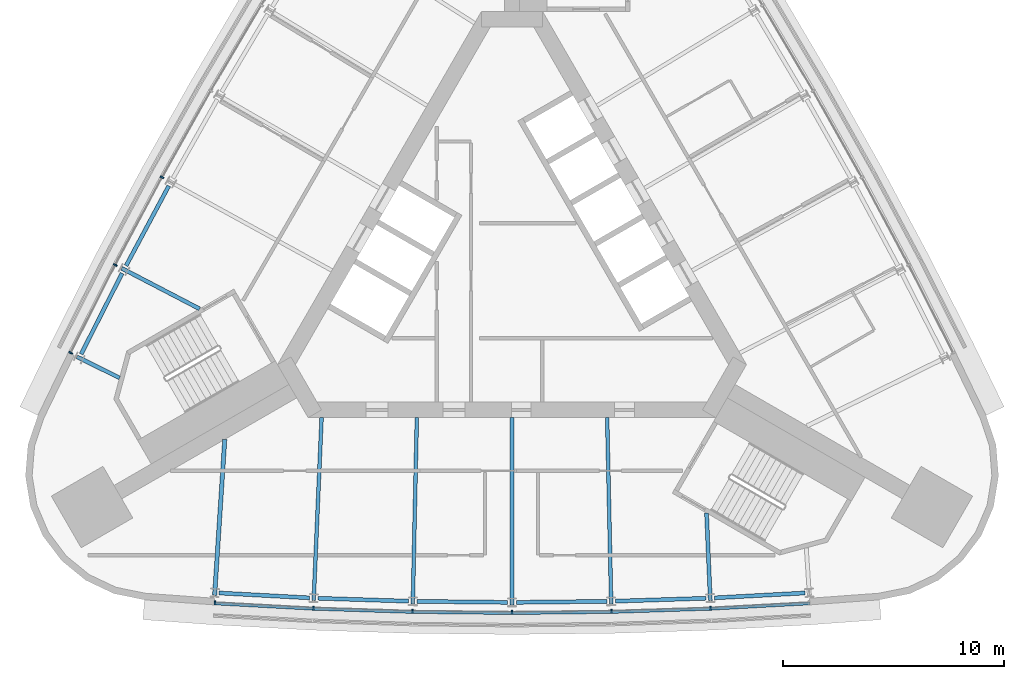
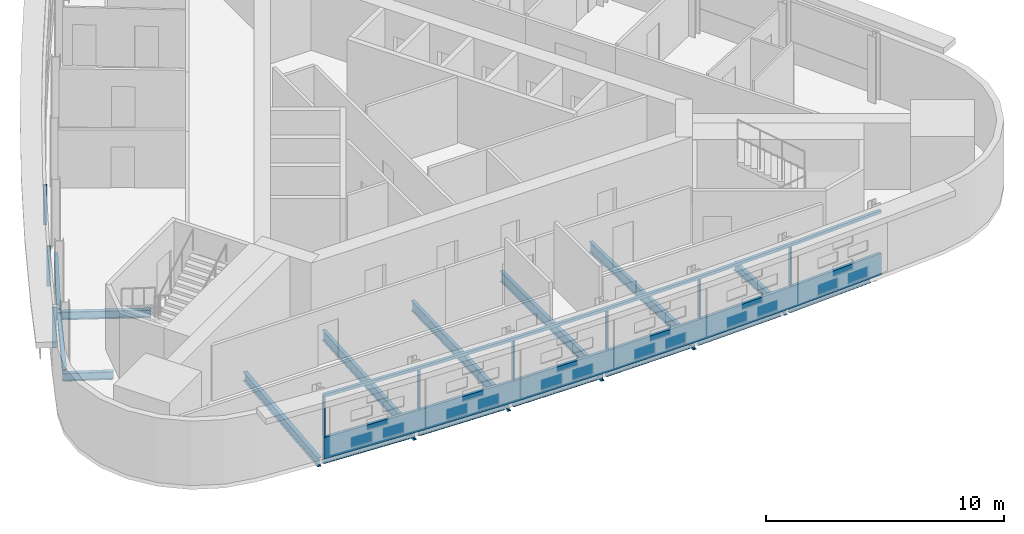
# One storey, part 2 of 10: 16 beams, 11 members, 2 elements without a shape of their own.
"""IFC4 building model written with IfcOpenShell, lengths in metres."""

from ifc_helpers import new_model, si_unit, direction, frame, origin, origin_2d, place, context, subcontext, project, spatial, polyline, rectangle, i_section, outline, extrude, material, material_profile, profile_set, type_object, element, aggregate, save


model = new_model("IFC4")

# Units and contexts
model_context = context("Model", 3, precision=1e-05, world=origin(), true_north=direction((0.0, 1.0)))
body_context = subcontext(model_context, "Body", "Model", "MODEL_VIEW")
ifc_project = project(units=[si_unit("LENGTHUNIT", "METRE"), si_unit("AREAUNIT", "SQUARE_METRE"), si_unit("VOLUMEUNIT", "CUBIC_METRE"), si_unit("PLANEANGLEUNIT", "RADIAN"), si_unit("MASSUNIT", "GRAM", prefix="KILO")], contexts=[model_context])

# Site, building, storey
site_placement = place(None, origin())
site = spatial("IfcSite", under=ifc_project, at=site_placement, CompositionType="ELEMENT")
building_placement = place(site_placement, origin())
building = spatial("IfcBuilding", under=site, at=building_placement, Name="Noor Cloister Tower", CompositionType="ELEMENT")
storey_placement = place(building_placement, frame((0.0, 0.0, 199.5)))
storey = spatial("IfcBuildingStorey", under=building, at=storey_placement, Name="L51", CompositionType="ELEMENT", Elevation=199.5)

# Curtain wall, member
ifc_material_1 = material(Name="Aluminium 6063-T6 anodised", Category="aluminium")
curtain_wall_type = type_object("IfcCurtainWallType", Name="Ribbon curtain wall, upper tower CW5", PredefinedType="NOTDEFINED", material=ifc_material_1)
curtain_wall_1_placement = place(storey_placement, origin())
curtain_wall_1 = element("IfcCurtainWall", 1, at=curtain_wall_1_placement, inside=storey, type_object=curtain_wall_type, Name="CW5 L51 S run 2", PredefinedType="NOTDEFINED")
ifc_material_2 = material(Name="Aluminium 6063-T6 anodised", Category="aluminium")
member_type_1 = type_object("IfcMemberType", Name="Head transom CW5 150", PredefinedType="USERDEFINED", material=ifc_material_2)
member_1_placement = place(storey_placement, frame((0.0, 0.0, 3.14990234375)))
member_1 = element("IfcMember", 2, at=member_1_placement, type_object=member_type_1, Name="CW5 head transom", ObjectType="TRANSOM", PredefinedType="USERDEFINED", context=body_context, shape_type="SweptSolid", body=[
    extrude(outline(polyline([(-13.490478515625, -15.404052734375), (-8.9970703125, -15.6474609375), (-4.499755859375, -15.79345703125), (0.0, -15.84228515625), (4.499755859375, -15.79345703125), (8.9970703125, -15.6474609375), (13.490478515625, -15.404052734375), (13.48291015625, -15.264404296875), (8.9912109375, -15.507568359375), (4.49658203125, -15.653564453125), (0.0, -15.7021484375), (-4.49658203125, -15.653564453125), (-8.9912109375, -15.507568359375), (-13.48291015625, -15.264404296875), (-13.490478515625, -15.404052734375)])), origin(), (0.0, 0.0, 1.0), 0.150146484375),
])

# Curtain wall, members
curtain_wall_2_placement = place(storey_placement, origin())
curtain_wall_2 = element("IfcCurtainWall", 3, at=curtain_wall_2_placement, inside=storey, type_object=curtain_wall_type, Name="CW5 L51 NW run 1", PredefinedType="NOTDEFINED")
ifc_material_3 = material(Name="Aluminium 6063-T6 anodised", Category="aluminium")
ifc_material_profile_1 = material_profile(ifc_material_3, rectangle(XDim=0.179931640625, YDim=0.070068359375, at=origin_2d()), Name="180 x 70 mullion")
ifc_profile_set_1 = profile_set([ifc_material_profile_1], Name="Aluminium 6063-T6 anodised")
member_type_2 = type_object("IfcMemberType", Name="Mullion CW5 70 x 180", PredefinedType="MULLION", material=ifc_profile_set_1)
member_2_placement = place(storey_placement, frame((-15.83984375, 3.951904296875, 1.10009765625), z_axis=(0.0, 0.0, 1.0), x_axis=(0.876641929033, -0.481143355208, 0.0)))
member_2 = element("IfcMember", 4, at=member_2_placement, type_object=member_type_2, Name="CW5 mullion 5", PredefinedType="MULLION", context=body_context, shape_type="SweptSolid", body=[
    extrude(rectangle(XDim=0.179931640625, YDim=0.070068359375, at=origin_2d()), origin(), (0.0, 0.0, 1.0), 2.0498046875),
])
member_3_placement = place(storey_placement, frame((-17.9609375, -0.01416015625, 1.10009765625), z_axis=(0.0, 0.0, 1.0), x_axis=(0.88684793719, -0.462061398845, 0.0)))
member_3 = element("IfcMember", 5, at=member_3_placement, type_object=member_type_2, Name="CW5 mullion 6", PredefinedType="MULLION", context=body_context, shape_type="SweptSolid", body=[
    extrude(rectangle(XDim=0.179931640625, YDim=0.070068359375, at=origin_2d()), origin(), (0.0, 0.0, 1.0), 2.0498046875),
])
member_4_placement = place(storey_placement, frame((-19.980712890625, -3.9951171875, 1.10009765625), z_axis=(0.0, 0.0, 1.0), x_axis=(0.891795492306, -0.452438725026, 0.0)))
member_4 = element("IfcMember", 6, at=member_4_placement, type_object=member_type_2, Name="CW5 mullion 7", PredefinedType="MULLION", context=body_context, shape_type="SweptSolid", body=[
    extrude(rectangle(XDim=0.179931640625, YDim=0.070068359375, at=origin_2d()), origin(), (0.0, 0.0, 1.0), 2.0498046875),
])
aggregate(curtain_wall_2, [member_2, member_3, member_4])

# Member
member_5_placement = place(storey_placement, frame((-13.4501953125, -15.30615234375, 1.10009765625), z_axis=(0.0, 0.0, 1.0), x_axis=(0.054074316624, 0.99853691383, 0.0)))
member_5 = element("IfcMember", 7, at=member_5_placement, type_object=member_type_2, Name="CW5 mullion 1", PredefinedType="MULLION", context=body_context, shape_type="SweptSolid", body=[
    extrude(rectangle(XDim=0.179931640625, YDim=0.070068359375, at=origin_2d()), origin(), (0.0, 0.0, 1.0), 2.0498046875),
])

member_6_placement = place(storey_placement, frame((-8.992919921875, -15.547607421875, 1.10009765625), z_axis=(0.0, 0.0, 1.0), x_axis=(0.043267059087, 0.999063542322, 0.0)))
member_6 = element("IfcMember", 8, at=member_6_placement, type_object=member_type_2, Name="CW5 mullion 2", PredefinedType="MULLION", context=body_context, shape_type="SweptSolid", body=[
    extrude(rectangle(XDim=0.179931640625, YDim=0.070068359375, at=origin_2d()), origin(), (0.0, 0.0, 1.0), 2.0498046875),
])

member_7_placement = place(storey_placement, frame((-4.49755859375, -15.693603515625, 1.10009765625), z_axis=(0.0, 0.0, 1.0), x_axis=(0.021638596044, 0.999765858169, 0.0)))
member_7 = element("IfcMember", 9, at=member_7_placement, type_object=member_type_2, Name="CW5 mullion 3", PredefinedType="MULLION", context=body_context, shape_type="SweptSolid", body=[
    extrude(rectangle(XDim=0.179931640625, YDim=0.070068359375, at=origin_2d()), origin(), (0.0, 0.0, 1.0), 2.0498046875),
])

member_8_placement = place(storey_placement, frame((0.0, -15.7421875, 1.10009765625), z_axis=(0.0, 0.0, 1.0), x_axis=(0.0, 1.0, 0.0)))
member_8 = element("IfcMember", 10, at=member_8_placement, type_object=member_type_2, Name="CW5 mullion 4", PredefinedType="MULLION", context=body_context, shape_type="SweptSolid", body=[
    extrude(rectangle(XDim=0.179931640625, YDim=0.070068359375, at=origin_2d()), origin(), (0.0, 0.0, 1.0), 2.0498046875),
])

member_9_placement = place(storey_placement, frame((4.49755859375, -15.693603515625, 1.10009765625), z_axis=(0.0, 0.0, 1.0), x_axis=(-0.021638596044, 0.999765858169, 0.0)))
member_9 = element("IfcMember", 11, at=member_9_placement, type_object=member_type_2, Name="CW5 mullion 5", PredefinedType="MULLION", context=body_context, shape_type="SweptSolid", body=[
    extrude(rectangle(XDim=0.179931640625, YDim=0.070068359375, at=origin_2d()), origin(), (0.0, 0.0, 1.0), 2.0498046875),
])

member_10_placement = place(storey_placement, frame((8.992919921875, -15.547607421875, 1.10009765625), z_axis=(0.0, 0.0, 1.0), x_axis=(-0.043267059087, 0.999063542322, 0.0)))
member_10 = element("IfcMember", 12, at=member_10_placement, type_object=member_type_2, Name="CW5 mullion 6", PredefinedType="MULLION", context=body_context, shape_type="SweptSolid", body=[
    extrude(rectangle(XDim=0.179931640625, YDim=0.070068359375, at=origin_2d()), origin(), (0.0, 0.0, 1.0), 2.0498046875),
])

# Beams
ifc_material_4 = material(Name="Steel ASTM A992 Gr 50", Category="steel")
ifc_material_profile_2 = material_profile(ifc_material_4, i_section(OverallWidth=0.177978515625, OverallDepth=0.406005859375, WebThickness=0.0078125, FlangeThickness=0.0126953125, FilletRadius=0.01025390625, at=origin_2d()), Name="W410x60")
ifc_profile_set_2 = profile_set([ifc_material_profile_2], Name="Steel ASTM A992 Gr 50")
beam_type_1 = type_object("IfcBeamType", Name="Radial beam W410x60", PredefinedType="BEAM", material=ifc_profile_set_2)
beam_1_placement = place(storey_placement, frame((-17.661376953125, -0.17041015625, -0.403076171875), z_axis=(0.886858939998, -0.462040280221, 0.0), x_axis=(0.462040280221, 0.886858939998, 0.0)))
element("IfcBeam", 13, at=beam_1_placement, inside=storey, type_object=beam_type_1, Name="Radial beam NW 06 L51", PredefinedType="BEAM", context=body_context, shape_type="SweptSolid", body=[
    extrude(i_section(OverallWidth=0.177978515625, OverallDepth=0.406005859375, WebThickness=0.0078125, FlangeThickness=0.0126953125, FilletRadius=0.01025390625, at=origin_2d()), origin(), (0.0, 0.0, 1.0), 3.96826171875),
])
beam_2_placement = place(storey_placement, frame((-19.69287109375, -4.175048828125, -0.403076171875), z_axis=(0.896620110466, -0.442800606942, 0.0), x_axis=(0.442800606942, 0.896620110466, 0.0)))
element("IfcBeam", 14, at=beam_2_placement, inside=storey, type_object=beam_type_1, Name="Radial beam NW 07 L51", PredefinedType="BEAM", context=body_context, shape_type="SweptSolid", body=[
    extrude(i_section(OverallWidth=0.177978515625, OverallDepth=0.406005859375, WebThickness=0.0078125, FlangeThickness=0.0126953125, FilletRadius=0.01025390625, at=origin_2d()), origin(), (0.0, 0.0, 1.0), 2.149169921875),
])
beam_3_placement = place(storey_placement, frame((8.978271484375, -15.2099609375, -0.403076171875), z_axis=(-0.043252992883, 0.999064151397, 0.0), x_axis=(-0.999064151397, -0.043252992883, 0.0)))
element("IfcBeam", 15, at=beam_3_placement, inside=storey, type_object=beam_type_1, Name="Radial beam S 06 L51", PredefinedType="BEAM", context=body_context, shape_type="SweptSolid", body=[
    extrude(i_section(OverallWidth=0.177978515625, OverallDepth=0.406005859375, WebThickness=0.0078125, FlangeThickness=0.0126953125, FilletRadius=0.01025390625, at=origin_2d()), origin(), (0.0, 0.0, 1.0), 3.968017578125),
])
ifc_material_5 = material(Name="Steel ASTM A992 Gr 50", Category="steel")
ifc_material_profile_3 = material_profile(ifc_material_5, i_section(OverallWidth=0.19091796875, OverallDepth=0.45703125, WebThickness=0.009033203125, FlangeThickness=0.014404296875, FilletRadius=0.01025390625, at=origin_2d()), Name="W460x74")
ifc_profile_set_3 = profile_set([ifc_material_profile_3], Name="Steel ASTM A992 Gr 50")
beam_type_2 = type_object("IfcBeamType", Name="Radial beam W460x74", PredefinedType="BEAM", material=ifc_profile_set_3)
beam_4_placement = place(storey_placement, frame((-13.462158203125, -14.967041015625, -0.428466796875), z_axis=(0.064882548643, 0.997892907521, 0.0), x_axis=(-0.997892907521, 0.064882548643, 0.0)))
element("IfcBeam", 16, at=beam_4_placement, inside=storey, type_object=beam_type_2, Name="Radial beam S 01 L51", PredefinedType="BEAM", context=body_context, shape_type="SweptSolid", body=[
    extrude(i_section(OverallWidth=0.19091796875, OverallDepth=0.45703125, WebThickness=0.009033203125, FlangeThickness=0.014404296875, FilletRadius=0.01025390625, at=origin_2d()), origin(), (0.0, 0.0, 1.0), 7.0703125),
])
ifc_material_6 = material(Name="Steel ASTM A992 Gr 50", Category="steel")
ifc_material_profile_4 = material_profile(ifc_material_6, i_section(OverallWidth=0.166015625, OverallDepth=0.528076171875, WebThickness=0.009765625, FlangeThickness=0.013671875, FilletRadius=0.0126953125, at=origin_2d()), Name="W530x74")
ifc_profile_set_4 = profile_set([ifc_material_profile_4], Name="Steel ASTM A992 Gr 50")
beam_type_3 = type_object("IfcBeamType", Name="Radial beam W530x74", PredefinedType="BEAM", material=ifc_profile_set_4)
beam_5_placement = place(storey_placement, frame((-8.978271484375, -15.2099609375, -0.464111328125), z_axis=(0.04326468059, 0.999063645327, 0.0), x_axis=(-0.999063645327, 0.04326468059, 0.0)))
element("IfcBeam", 17, at=beam_5_placement, inside=storey, type_object=beam_type_3, Name="Radial beam S 02 L51", PredefinedType="BEAM", context=body_context, shape_type="SweptSolid", body=[
    extrude(i_section(OverallWidth=0.166015625, OverallDepth=0.528076171875, WebThickness=0.009765625, FlangeThickness=0.013671875, FilletRadius=0.0126953125, at=origin_2d()), origin(), (0.0, 0.0, 1.0), 8.28955078125),
])
beam_6_placement = place(storey_placement, frame((-4.490234375, -15.355712890625, -0.464111328125), z_axis=(0.021635190796, 0.999765931866, 0.0), x_axis=(-0.999765931866, 0.021635190796, 0.0)))
element("IfcBeam", 18, at=beam_6_placement, inside=storey, type_object=beam_type_3, Name="Radial beam S 03 L51", PredefinedType="BEAM", context=body_context, shape_type="SweptSolid", body=[
    extrude(i_section(OverallWidth=0.166015625, OverallDepth=0.528076171875, WebThickness=0.009765625, FlangeThickness=0.013671875, FilletRadius=0.0126953125, at=origin_2d()), origin(), (0.0, 0.0, 1.0), 8.429443359375),
])
beam_7_placement = place(storey_placement, frame((0.0, -15.404296875, -0.464111328125), z_axis=(0.0, 1.0, 0.0), x_axis=(-1.0, 0.0, 0.0)))
element("IfcBeam", 19, at=beam_7_placement, inside=storey, type_object=beam_type_3, Name="Radial beam S 04 L51", PredefinedType="BEAM", context=body_context, shape_type="SweptSolid", body=[
    extrude(i_section(OverallWidth=0.166015625, OverallDepth=0.528076171875, WebThickness=0.009765625, FlangeThickness=0.013671875, FilletRadius=0.0126953125, at=origin_2d()), origin(), (0.0, 0.0, 1.0), 8.47607421875),
])
beam_8_placement = place(storey_placement, frame((4.490234375, -15.355712890625, -0.464111328125), z_axis=(-0.021635190796, 0.999765931866, 0.0), x_axis=(-0.999765931866, -0.021635190796, 0.0)))
element("IfcBeam", 20, at=beam_8_placement, inside=storey, type_object=beam_type_3, Name="Radial beam S 05 L51", PredefinedType="BEAM", context=body_context, shape_type="SweptSolid", body=[
    extrude(i_section(OverallWidth=0.166015625, OverallDepth=0.528076171875, WebThickness=0.009765625, FlangeThickness=0.013671875, FilletRadius=0.0126953125, at=origin_2d()), origin(), (0.0, 0.0, 1.0), 8.429443359375),
])

# Member
ifc_material_7 = material(Name="Aluminium 6063-T6 anodised", Category="aluminium")
member_type_3 = type_object("IfcMemberType", Name="Sill transom CW5 1100", PredefinedType="USERDEFINED", material=ifc_material_7)
member_11_placement = place(storey_placement, origin())
member_11 = element("IfcMember", 21, at=member_11_placement, type_object=member_type_3, Name="CW5 sill transom", ObjectType="TRANSOM", PredefinedType="USERDEFINED", context=body_context, shape_type="SweptSolid", body=[
    extrude(outline(polyline([(-13.490478515625, -15.404052734375), (-8.9970703125, -15.6474609375), (-4.499755859375, -15.79345703125), (0.0, -15.84228515625), (4.499755859375, -15.79345703125), (8.9970703125, -15.6474609375), (13.490478515625, -15.404052734375), (13.48291015625, -15.264404296875), (8.9912109375, -15.507568359375), (4.49658203125, -15.653564453125), (0.0, -15.7021484375), (-4.49658203125, -15.653564453125), (-8.9912109375, -15.507568359375), (-13.48291015625, -15.264404296875), (-13.490478515625, -15.404052734375)])), origin(), (0.0, 0.0, 1.0), 1.10009765625),
])

aggregate(curtain_wall_1, [member_5, member_6, member_7, member_8, member_9, member_10, member_11, member_1])

# Beams
ifc_material_8 = material(Name="Steel ASTM A992 Gr 50", Category="steel")
ifc_material_profile_5 = material_profile(ifc_material_8, i_section(OverallWidth=0.177978515625, OverallDepth=0.406005859375, WebThickness=0.0078125, FlangeThickness=0.0126953125, FilletRadius=0.01025390625, at=origin_2d()), Name="W410x60")
ifc_profile_set_5 = profile_set([ifc_material_profile_5], Name="Steel ASTM A992 Gr 50")
beam_type_4 = type_object("IfcBeamType", Name="Spandrel beam W410x60", PredefinedType="SPANDREL", material=ifc_profile_set_5)
for number, where, z_axis, x_axis, name in (
    (22, (-15.5380859375, 3.5615234375, -0.403076171875), (-0.471637153949, -0.881792716581, 0.0), (0.881792716581, -0.471637153949, 0.0), "Spandrel beam NW 05 L51"),
    (23, (-17.651123046875, -0.39794921875, -0.403076171875), (-0.452453813184, -0.8917878374, 0.0), (0.8917878374, -0.452453813184, 0.0), "Spandrel beam NW 06 L51"),
    (24, (-13.258056640625, -14.865966796875, -0.403076171875), (0.998536099071, -0.054089359882, 0.0), (0.054089359882, 0.998536099071, 0.0), "Spandrel beam S 01 L51"),
):
    element("IfcBeam", number, at=place(storey_placement, frame(where, z_axis=z_axis, x_axis=x_axis)), inside=storey, type_object=beam_type_4, Name=name, PredefinedType="SPANDREL", context=body_context, shape_type="SweptSolid", body=[
        extrude(i_section(OverallWidth=0.177978515625, OverallDepth=0.406005859375, WebThickness=0.0078125, FlangeThickness=0.0126953125, FilletRadius=0.01025390625, at=origin_2d()), origin(), (0.0, 0.0, 1.0), 4.093994140625),
    ])
beam_9_placement = place(storey_placement, frame((-8.776611328125, -15.1044921875, -0.403076171875), z_axis=(0.999473710144, -0.032439215937, 0.0), x_axis=(0.032439215937, 0.999473710144, 0.0)))
element("IfcBeam", 25, at=beam_9_placement, inside=storey, type_object=beam_type_4, Name="Spandrel beam S 02 L51", PredefinedType="SPANDREL", context=body_context, shape_type="SweptSolid", body=[
    extrude(i_section(OverallWidth=0.177978515625, OverallDepth=0.406005859375, WebThickness=0.0078125, FlangeThickness=0.0126953125, FilletRadius=0.01025390625, at=origin_2d()), origin(), (0.0, 0.0, 1.0), 4.09423828125),
])
for number, where, z_axis, x_axis, name in (
    (26, (-4.290771484375, -15.245849609375, -0.403076171875), (0.999941745876, -0.010793741412, 0.0), (0.010793741412, 0.999941745876, 0.0), "Spandrel beam S 03 L51"),
    (27, (0.197021484375, -15.2900390625, -0.403076171875), (0.999941745876, 0.010793741412, 0.0), (-0.010793741412, 0.999941745876, 0.0), "Spandrel beam S 04 L51"),
):
    element("IfcBeam", number, at=place(storey_placement, frame(where, z_axis=z_axis, x_axis=x_axis)), inside=storey, type_object=beam_type_4, Name=name, PredefinedType="SPANDREL", context=body_context, shape_type="SweptSolid", body=[
        extrude(i_section(OverallWidth=0.177978515625, OverallDepth=0.406005859375, WebThickness=0.0078125, FlangeThickness=0.0126953125, FilletRadius=0.01025390625, at=origin_2d()), origin(), (0.0, 0.0, 1.0), 4.093994140625),
    ])
beam_10_placement = place(storey_placement, frame((4.6845703125, -15.2373046875, -0.403076171875), z_axis=(0.999473710144, 0.032439215937, 0.0), x_axis=(-0.032439215937, 0.999473710144, 0.0)))
element("IfcBeam", 28, at=beam_10_placement, inside=storey, type_object=beam_type_4, Name="Spandrel beam S 05 L51", PredefinedType="SPANDREL", context=body_context, shape_type="SweptSolid", body=[
    extrude(i_section(OverallWidth=0.177978515625, OverallDepth=0.406005859375, WebThickness=0.0078125, FlangeThickness=0.0126953125, FilletRadius=0.01025390625, at=origin_2d()), origin(), (0.0, 0.0, 1.0), 4.09423828125),
])
beam_11_placement = place(storey_placement, frame((9.170166015625, -15.08740234375, -0.403076171875), z_axis=(0.998536099071, 0.054089359882, 0.0), x_axis=(-0.054089359882, 0.998536099071, 0.0)))
element("IfcBeam", 29, at=beam_11_placement, inside=storey, type_object=beam_type_4, Name="Spandrel beam S 06 L51", PredefinedType="SPANDREL", context=body_context, shape_type="SweptSolid", body=[
    extrude(i_section(OverallWidth=0.177978515625, OverallDepth=0.406005859375, WebThickness=0.0078125, FlangeThickness=0.0126953125, FilletRadius=0.01025390625, at=origin_2d()), origin(), (0.0, 0.0, 1.0), 4.093994140625),
])

save(model, "model.ifc")
